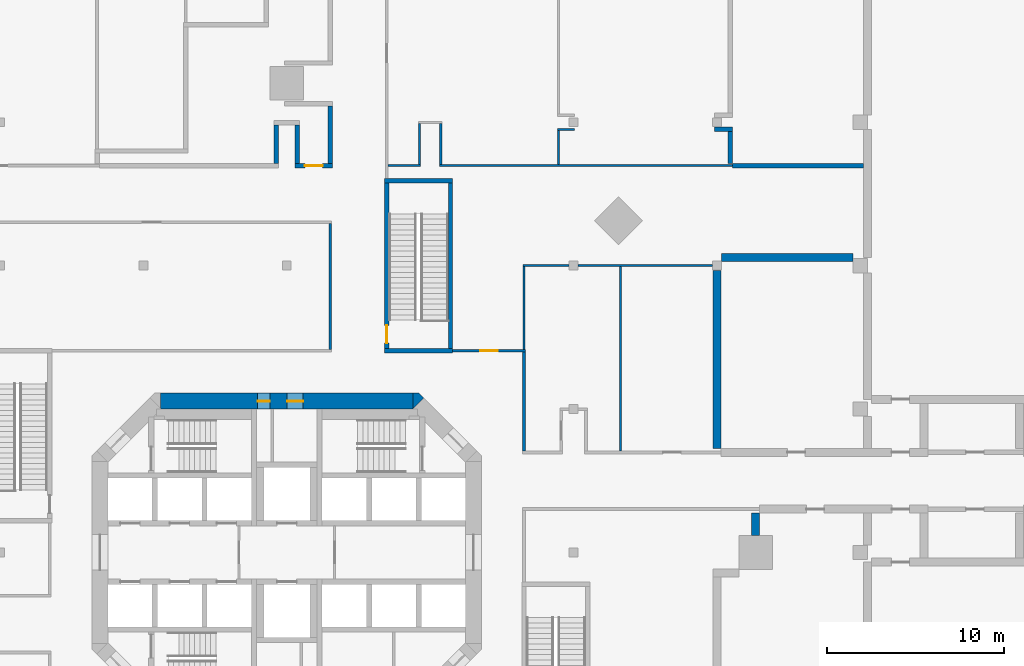
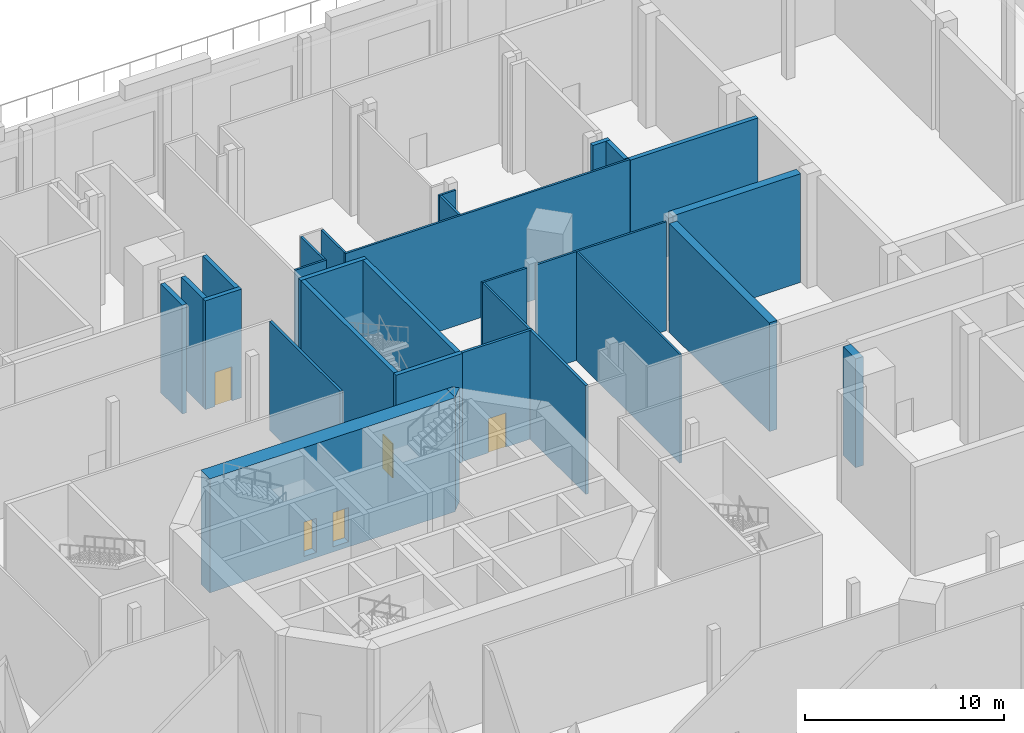
# One storey, part 11 of 21: 29 walls, 5 doors, 5 openings.
"""IFC4 building model written with IfcOpenShell, lengths in metres."""

from ifc_helpers import new_model, si_unit, direction, frame, frame_2d, origin, place, context, subcontext, project, spatial, polyline, rectangle, outline, extrude, material, layer, layer_set, type_object, element, fill, save


model = new_model("IFC4")

# Units and contexts
model_context = context("Model", 3, precision=1e-05, world=origin(), true_north=direction((0.0, 1.0)))
body_context = subcontext(model_context, "Body", "Model", "MODEL_VIEW")
ifc_project = project(units=[si_unit("LENGTHUNIT", "METRE"), si_unit("AREAUNIT", "SQUARE_METRE"), si_unit("VOLUMEUNIT", "CUBIC_METRE"), si_unit("PLANEANGLEUNIT", "RADIAN"), si_unit("MASSUNIT", "GRAM", prefix="KILO")], contexts=[model_context])

# Site, building, storey
site_placement = place(None, origin())
site = spatial("IfcSite", under=ifc_project, at=site_placement, CompositionType="ELEMENT")
building_placement = place(site_placement, origin())
building = spatial("IfcBuilding", under=site, at=building_placement, Name="Torre Triforio", CompositionType="ELEMENT")
storey_placement = place(building_placement, frame((0.0, 0.0, 6.0)))
storey = spatial("IfcBuildingStorey", under=building, at=storey_placement, Name="L01", CompositionType="ELEMENT", Elevation=6.0)

# Wall, openings, doors
ifc_material_1 = material(Name="Concrete C60", Category="concrete")
ifc_layer_1 = layer(ifc_material_1, 0.89990234375)
ifc_layer_set_1 = layer_set([ifc_layer_1], Name="Concrete C60")
wall_type_1 = type_object("IfcWallType", Name="Core wall 900 mm C60 EI 120", PredefinedType="SHEAR", material=ifc_layer_set_1)
wall_1_placement = place(storey_placement, frame((-7.1298828125, 8.550048828125, -0.320068359375), z_axis=(0.0, 0.0, 1.0), x_axis=(1.0, 0.0, 0.0)))
wall_1 = element("IfcWall", 1, at=wall_1_placement, inside=storey, type_object=wall_type_1, Name="Core wall", PredefinedType="SHEAR", context=body_context, shape_type="SweptSolid", body=[
    extrude(rectangle(XDim=14.259765625, YDim=0.89990234375, at=frame_2d((7.1298828125, 0.0))), origin(), (0.0, 0.0, 1.0), 7.0),
])
opening_1_placement = place(wall_1_placement, frame((5.47998046875, 0.0, 0.320068359375)))
opening_1 = element("IfcOpeningElement", 2, at=opening_1_placement, cuts=wall_1, Name="Opening RISER-N", PredefinedType="OPENING", context=body_context, shape_type="SweptSolid", body=[
    extrude(rectangle(XDim=0.699951171875, YDim=2.10009765625, at=frame_2d((0.35009765625, 1.050048828125))), frame((0.0, 0.4599609375, 0.0), z_axis=(0.0, -1.0, 0.0), x_axis=(1.0, 0.0, 0.0)), (0.0, 0.0, 1.0), 0.919921875),
])
opening_2_placement = place(wall_1_placement, frame((7.155029296875, 0.0, 0.320068359375)))
opening_2 = element("IfcOpeningElement", 3, at=opening_2_placement, cuts=wall_1, Name="Opening NE-01", PredefinedType="OPENING", context=body_context, shape_type="SweptSolid", body=[
    extrude(rectangle(XDim=0.89990234375, YDim=2.10009765625, at=frame_2d((0.449951171875, 1.050048828125))), frame((0.0, 0.4599609375, 0.0), z_axis=(0.0, -1.0, 0.0), x_axis=(1.0, 0.0, 0.0)), (0.0, 0.0, 1.0), 0.919921875),
])
ifc_material_2 = material(Name="Hollow metal fire door leaf")
door_type_1 = type_object("IfcDoorType", Name="Riser door 700 x 2100 EI 60", OperationType="NOTDEFINED", PredefinedType="DOOR", material=ifc_material_2)
door_1_placement = place(opening_1_placement, origin())
door_1 = element("IfcDoor", 4, at=door_1_placement, inside=storey, type_object=door_type_1, Name="Core door RISER-N", OperationType="SINGLE_SWING_LEFT", OverallHeight=2.10009765625, OverallWidth=0.699951171875, PredefinedType="DOOR", context=body_context, shape_type="SweptSolid", body=[
    extrude(rectangle(XDim=0.699951171875, YDim=2.10009765625, at=frame_2d((0.35009765625, 1.050048828125))), frame((0.0, 0.02490234375, 0.0), z_axis=(0.0, -1.0, 0.0), x_axis=(1.0, 0.0, 0.0)), (0.0, 0.0, 1.0), 0.050048828125),
])
fill(opening_1, door_1)
door_type_2 = type_object("IfcDoorType", Name="Room door 900 x 2100 EI 60", OperationType="NOTDEFINED", PredefinedType="DOOR", material=ifc_material_2)
door_2_placement = place(opening_2_placement, origin())
door_2 = element("IfcDoor", 5, at=door_2_placement, inside=storey, type_object=door_type_2, Name="Core door NE-01", OperationType="SINGLE_SWING_RIGHT", OverallHeight=2.10009765625, OverallWidth=0.89990234375, PredefinedType="DOOR", context=body_context, shape_type="SweptSolid", body=[
    extrude(rectangle(XDim=0.89990234375, YDim=2.10009765625, at=frame_2d((0.449951171875, 1.050048828125))), frame((0.0, 0.02490234375, 0.0), z_axis=(0.0, -1.0, 0.0), x_axis=(1.0, 0.0, 0.0)), (0.0, 0.0, 1.0), 0.050048828125),
])
fill(opening_2, door_2)

# Walls
wall_2_placement = place(storey_placement, frame((0.0, 0.0, -0.320068359375)))
element("IfcWall", 6, at=wall_2_placement, inside=storey, type_object=wall_type_1, Name="Core wall", PredefinedType="SHEAR", context=body_context, shape_type="SweptSolid", body=[
    extrude(outline(polyline([(7.472900390625, 9.0), (7.736328125, 8.736328125), (7.1298828125, 8.1298828125), (7.1298828125, 9.0), (7.472900390625, 9.0)])), origin(), (0.0, 0.0, 1.0), 7.0),
])
ifc_material_3 = material(Name="Plasterboard on metal studs")
ifc_layer_2 = layer(ifc_material_3, 0.14990234375)
ifc_layer_set_2 = layer_set([ifc_layer_2], Name="Plasterboard on metal studs")
wall_type_2 = type_object("IfcWallType", Name="Corridor wall 150 EI 60", PredefinedType="PARTITIONING", material=ifc_layer_set_2)
wall_3_placement = place(storey_placement, frame((13.39990234375, 5.72509765625, 0.0), z_axis=(0.0, 0.0, 1.0), x_axis=(0.0, 1.0, 0.0)))
element("IfcWall", 7, at=wall_3_placement, inside=storey, type_object=wall_type_2, Name="Corridor wall L01 125", PredefinedType="PARTITIONING", context=body_context, shape_type="SweptSolid", body=[
    extrude(rectangle(XDim=5.599853515625, YDim=0.14990234375, at=frame_2d((2.7998046875, 0.0))), origin(), (0.0, 0.0, 1.0), 6.679931640625),
])

# Wall, opening, door
wall_4_placement = place(storey_placement, frame((9.375, 11.39990234375, 0.0), z_axis=(0.0, 0.0, 1.0), x_axis=(1.0, 0.0, 0.0)))
wall_4 = element("IfcWall", 8, at=wall_4_placement, inside=storey, type_object=wall_type_2, Name="Corridor wall L01 155", PredefinedType="PARTITIONING", context=body_context, shape_type="SweptSolid", body=[
    extrude(rectangle(XDim=4.10009765625, YDim=0.14990234375, at=frame_2d((2.050048828125, 0.0))), origin(), (0.0, 0.0, 1.0), 6.679931640625),
])
opening_3_placement = place(wall_4_placement, frame((1.550048828125, 0.0, 0.0)))
opening_3 = element("IfcOpeningElement", 9, at=opening_3_placement, cuts=wall_4, Name="Opening P1-31", PredefinedType="OPENING", context=body_context, shape_type="SweptSolid", body=[
    extrude(rectangle(XDim=1.0, YDim=2.10009765625, at=frame_2d((0.5, 1.050048828125))), frame((0.0, 0.0849609375, 0.0), z_axis=(0.0, -1.0, 0.0), x_axis=(1.0, 0.0, 0.0)), (0.0, 0.0, 1.0), 0.169921875),
])
ifc_material_4 = material(Name="Timber door leaf", Category="wood")
door_type_3 = type_object("IfcDoorType", Name="Single door 1000 x 2100 EI 30", OperationType="NOTDEFINED", PredefinedType="DOOR", material=ifc_material_4)
door_3_placement = place(opening_3_placement, origin())
door_3 = element("IfcDoor", 10, at=door_3_placement, inside=storey, type_object=door_type_3, Name="Door P1-31", OperationType="SINGLE_SWING_LEFT", OverallHeight=2.10009765625, OverallWidth=1.0, PredefinedType="DOOR", context=body_context, shape_type="SweptSolid", body=[
    extrude(rectangle(XDim=1.0, YDim=2.10009765625, at=frame_2d((0.5, 1.050048828125))), frame((0.0, 0.02490234375, 0.0), z_axis=(0.0, -1.0, 0.0), x_axis=(1.0, 0.0, 0.0)), (0.0, 0.0, 1.0), 0.050048828125),
])
fill(opening_3, door_3)

# Walls
wall_5_placement = place(storey_placement, frame((2.449951171875, 11.47509765625, 0.0), z_axis=(0.0, 0.0, 1.0), x_axis=(0.0, 1.0, 0.0)))
element("IfcWall", 11, at=wall_5_placement, inside=storey, type_object=wall_type_2, Name="Corridor wall L01 162", PredefinedType="PARTITIONING", context=body_context, shape_type="SweptSolid", body=[
    extrude(rectangle(XDim=7.099853515625, YDim=0.14990234375, at=frame_2d((3.5498046875, 0.0))), origin(), (0.0, 0.0, 1.0), 6.679931640625),
])
ifc_layer_3 = layer(ifc_material_3, 0.1201171875)
ifc_layer_set_3 = layer_set([ifc_layer_3], Name="Plasterboard on metal studs")
wall_type_3 = type_object("IfcWallType", Name="Partition 120", PredefinedType="PARTITIONING", material=ifc_layer_set_3)
wall_6_placement = place(storey_placement, frame((18.85009765625, 5.72509765625, 0.0), z_axis=(0.0, 0.0, 1.0), x_axis=(0.0, 1.0, 0.0)))
element("IfcWall", 12, at=wall_6_placement, inside=storey, type_object=wall_type_3, Name="Partition L01 043", PredefinedType="PARTITIONING", context=body_context, shape_type="SweptSolid", body=[
    extrude(rectangle(XDim=10.414794921875, YDim=0.1201171875, at=frame_2d((5.20751953125, 0.0))), origin(), (0.0, 0.0, 1.0), 6.679931640625),
])
wall_7_placement = place(storey_placement, frame((15.286376953125, 23.89990234375, 0.0), z_axis=(0.0, 0.0, 1.0), x_axis=(1.0, 0.0, 0.0)))
element("IfcWall", 13, at=wall_7_placement, inside=storey, type_object=wall_type_3, Name="Partition L01 086", PredefinedType="PARTITIONING", context=body_context, shape_type="SweptSolid", body=[
    extrude(rectangle(XDim=0.95361328125, YDim=0.1201171875, at=frame_2d((0.476806640625, 0.0))), origin(), (0.0, 0.0, 1.0), 6.679931640625),
])
wall_8_placement = place(storey_placement, frame((15.346435546875, 21.909912109375, 0.0), z_axis=(0.0, 0.0, 1.0), x_axis=(0.0, 1.0, 0.0)))
element("IfcWall", 14, at=wall_8_placement, inside=storey, type_object=wall_type_3, Name="Partition L01 090", PredefinedType="PARTITIONING", context=body_context, shape_type="SweptSolid", body=[
    extrude(rectangle(XDim=1.93017578125, YDim=0.1201171875, at=frame_2d((0.965087890625, 0.0))), origin(), (0.0, 0.0, 1.0), 6.679931640625),
])
wall_9_placement = place(storey_placement, frame((5.72509765625, 21.85009765625, 0.0), z_axis=(0.0, 0.0, 1.0), x_axis=(1.0, 0.0, 0.0)))
element("IfcWall", 15, at=wall_9_placement, inside=storey, type_object=wall_type_3, Name="Partition L01 099", PredefinedType="PARTITIONING", context=body_context, shape_type="SweptSolid", body=[
    extrude(rectangle(XDim=1.8349609375, YDim=0.1201171875, at=frame_2d((0.91748046875, 0.0))), origin(), (0.0, 0.0, 1.0), 6.679931640625),
])
wall_10_placement = place(storey_placement, frame((8.639892578125, 21.85009765625, 0.0), z_axis=(0.0, 0.0, 1.0), x_axis=(1.0, 0.0, 0.0)))
element("IfcWall", 16, at=wall_10_placement, inside=storey, type_object=wall_type_3, Name="Partition L01 100", PredefinedType="PARTITIONING", context=body_context, shape_type="SweptSolid", body=[
    extrude(rectangle(XDim=16.528076171875, YDim=0.1201171875, at=frame_2d((8.26416015625, 0.0))), origin(), (0.0, 0.0, 1.0), 6.679931640625),
])
for number, where, z_axis, x_axis, name in (
    (17, (7.5, 21.909912109375, 0.0), (0.0, 0.0, 1.0), (0.0, 1.0, 0.0), "Partition L01 102"),
    (18, (8.699951171875, 21.909912109375, 0.0), (0.0, 0.0, 1.0), (0.0, 1.0, 0.0), "Partition L01 103"),
):
    element("IfcWall", number, at=place(storey_placement, frame(where, z_axis=z_axis, x_axis=x_axis)), inside=storey, type_object=wall_type_3, Name=name, PredefinedType="PARTITIONING", context=body_context, shape_type="SweptSolid", body=[
        extrude(rectangle(XDim=2.31005859375, YDim=0.1201171875, at=frame_2d((1.155029296875, 0.0))), origin(), (0.0, 0.0, 1.0), 6.679931640625),
    ])
wall_11_placement = place(storey_placement, frame((13.340087890625, 16.199951171875, 0.0), z_axis=(0.0, 0.0, 1.0), x_axis=(1.0, 0.0, 0.0)))
element("IfcWall", 19, at=wall_11_placement, inside=storey, type_object=wall_type_3, Name="Partition L01 122", PredefinedType="PARTITIONING", context=body_context, shape_type="SweptSolid", body=[
    extrude(rectangle(XDim=2.599853515625, YDim=0.1201171875, at=frame_2d((1.2998046875, 0.0))), origin(), (0.0, 0.0, 1.0), 6.679931640625),
])
wall_12_placement = place(storey_placement, frame((16.4599609375, 16.199951171875, 0.0), z_axis=(0.0, 0.0, 1.0), x_axis=(1.0, 0.0, 0.0)))
element("IfcWall", 20, at=wall_12_placement, inside=storey, type_object=wall_type_3, Name="Partition L01 123", PredefinedType="PARTITIONING", context=body_context, shape_type="SweptSolid", body=[
    extrude(rectangle(XDim=7.580078125, YDim=0.1201171875, at=frame_2d((3.7900390625, 0.0))), origin(), (0.0, 0.0, 1.0), 6.679931640625),
])
wall_13_placement = place(storey_placement, frame((13.39990234375, 11.47509765625, 0.0), z_axis=(0.0, 0.0, 1.0), x_axis=(0.0, 1.0, 0.0)))
element("IfcWall", 21, at=wall_13_placement, inside=storey, type_object=wall_type_3, Name="Partition L01 124", PredefinedType="PARTITIONING", context=body_context, shape_type="SweptSolid", body=[
    extrude(rectangle(XDim=4.664794921875, YDim=0.1201171875, at=frame_2d((2.33251953125, 0.0))), origin(), (0.0, 0.0, 1.0), 6.679931640625),
])
ifc_material_5 = material(Name="Masonry block", Category="masonry")
ifc_layer_4 = layer(ifc_material_5, 0.25)
ifc_layer_set_4 = layer_set([ifc_layer_4], Name="Masonry block")
wall_type_4 = type_object("IfcWallType", Name="Plant room wall 250 EI 120", PredefinedType="PARTITIONING", material=ifc_layer_set_4)
wall_14_placement = place(storey_placement, frame((24.175048828125, 23.89990234375, 0.0), z_axis=(0.0, 0.0, 1.0), x_axis=(1.0, 0.0, 0.0)))
element("IfcWall", 22, at=wall_14_placement, inside=storey, type_object=wall_type_4, Name="Plant room wall L01 104", PredefinedType="PARTITIONING", context=body_context, shape_type="SweptSolid", body=[
    extrude(rectangle(XDim=0.992919921875, YDim=0.25, at=frame_2d((0.49658203125, 0.0))), origin(), (0.0, 0.0, 1.0), 6.679931640625),
])
wall_15_placement = place(storey_placement, frame((25.04296875, 21.97509765625, 0.0), z_axis=(0.0, 0.0, 1.0), x_axis=(0.0, 1.0, 0.0)))
element("IfcWall", 23, at=wall_15_placement, inside=storey, type_object=wall_type_4, Name="Plant room wall L01 108", PredefinedType="PARTITIONING", context=body_context, shape_type="SweptSolid", body=[
    extrude(rectangle(XDim=1.7998046875, YDim=0.25, at=frame_2d((0.89990234375, 0.0))), origin(), (0.0, 0.0, 1.0), 6.679931640625),
])

# Wall, opening, door
wall_16_placement = place(storey_placement, frame((0.47509765625, 21.85009765625, 0.0), z_axis=(0.0, 0.0, 1.0), x_axis=(1.0, 0.0, 0.0)))
wall_16 = element("IfcWall", 24, at=wall_16_placement, inside=storey, type_object=wall_type_4, Name="Plant room wall L01 127", PredefinedType="PARTITIONING", context=body_context, shape_type="SweptSolid", body=[
    extrude(rectangle(XDim=2.099853515625, YDim=0.25, at=frame_2d((1.0498046875, 0.0))), origin(), (0.0, 0.0, 1.0), 6.679931640625),
])
opening_4_placement = place(wall_16_placement, frame((0.550048828125, 0.0, 0.0)))
opening_4 = element("IfcOpeningElement", 25, at=opening_4_placement, cuts=wall_16, Name="Opening P1-47", PredefinedType="OPENING", context=body_context, shape_type="SweptSolid", body=[
    extrude(rectangle(XDim=1.0, YDim=2.10009765625, at=frame_2d((0.5, 1.050048828125))), frame((0.0, 0.135009765625, 0.0), z_axis=(0.0, -1.0, 0.0), x_axis=(1.0, 0.0, 0.0)), (0.0, 0.0, 1.0), 0.27001953125),
])
door_type_4 = type_object("IfcDoorType", Name="Fire door 1000 x 2100 EI 60", OperationType="NOTDEFINED", PredefinedType="DOOR", material=ifc_material_2)
door_4_placement = place(opening_4_placement, origin())
door_4 = element("IfcDoor", 26, at=door_4_placement, inside=storey, type_object=door_type_4, Name="Door P1-47", OperationType="SINGLE_SWING_LEFT", OverallHeight=2.10009765625, OverallWidth=1.0, PredefinedType="DOOR", context=body_context, shape_type="SweptSolid", body=[
    extrude(rectangle(XDim=1.0, YDim=2.10009765625, at=frame_2d((0.5, 1.050048828125))), frame((0.0, 0.02490234375, 0.0), z_axis=(0.0, -1.0, 0.0), x_axis=(1.0, 0.0, 0.0)), (0.0, 0.0, 1.0), 0.050048828125),
])
fill(opening_4, door_4)

# Walls
for number, where, z_axis, x_axis, name in (
    (27, (-0.60009765625, 21.97509765625, 0.0), (0.0, 0.0, 1.0), (0.0, 1.0, 0.0), "Plant room wall L01 129"),
    (28, (0.60009765625, 21.97509765625, 0.0), (0.0, 0.0, 1.0), (0.0, 1.0, 0.0), "Plant room wall L01 130"),
):
    element("IfcWall", number, at=place(storey_placement, frame(where, z_axis=z_axis, x_axis=x_axis)), inside=storey, type_object=wall_type_4, Name=name, PredefinedType="PARTITIONING", context=body_context, shape_type="SweptSolid", body=[
        extrude(rectangle(XDim=2.179931640625, YDim=0.25, at=frame_2d((1.08984375, 0.0))), origin(), (0.0, 0.0, 1.0), 6.679931640625),
    ])
wall_17_placement = place(storey_placement, frame((25.16796875, 21.85009765625, 0.0), z_axis=(0.0, 0.0, 1.0), x_axis=(1.0, 0.0, 0.0)))
element("IfcWall", 29, at=wall_17_placement, inside=storey, type_object=wall_type_4, Name="Plant room wall L01 152", PredefinedType="PARTITIONING", context=body_context, shape_type="SweptSolid", body=[
    extrude(rectangle(XDim=7.406982421875, YDim=0.25, at=frame_2d((3.70361328125, 0.0))), origin(), (0.0, 0.0, 1.0), 6.679931640625),
])
wall_18_placement = place(storey_placement, frame((2.449951171875, 21.97509765625, 0.0), z_axis=(0.0, 0.0, 1.0), x_axis=(0.0, 1.0, 0.0)))
element("IfcWall", 30, at=wall_18_placement, inside=storey, type_object=wall_type_4, Name="Plant room wall L01 160", PredefinedType="PARTITIONING", context=body_context, shape_type="SweptSolid", body=[
    extrude(rectangle(XDim=3.25, YDim=0.25, at=frame_2d((1.625, 0.0))), origin(), (0.0, 0.0, 1.0), 6.679931640625),
])
ifc_material_6 = material(Name="Concrete C40", Category="concrete")
ifc_layer_5 = layer(ifc_material_6, 0.25)
ifc_layer_set_5 = layer_set([ifc_layer_5], Name="Concrete C40")
wall_type_5 = type_object("IfcWallType", Name="Stair enclosure wall 250 EI 120", PredefinedType="STANDARD", material=ifc_layer_set_5)
wall_19_placement = place(storey_placement, frame((5.52490234375, 21.0, 0.0), z_axis=(0.0, 0.0, 1.0), x_axis=(1.0, 0.0, 0.0)))
element("IfcWall", 31, at=wall_19_placement, inside=storey, type_object=wall_type_5, Name="Stair enclosure wall L01 153", PredefinedType="STANDARD", context=body_context, shape_type="SweptSolid", body=[
    extrude(rectangle(XDim=3.85009765625, YDim=0.25, at=frame_2d((1.925048828125, 0.0))), origin(), (0.0, 0.0, 1.0), 6.679931640625),
])
wall_20_placement = place(storey_placement, frame((9.25, 11.52490234375, 0.0), z_axis=(0.0, 0.0, 1.0), x_axis=(0.0, 1.0, 0.0)))
element("IfcWall", 32, at=wall_20_placement, inside=storey, type_object=wall_type_5, Name="Stair enclosure wall L01 154", PredefinedType="STANDARD", context=body_context, shape_type="SweptSolid", body=[
    extrude(rectangle(XDim=9.35009765625, YDim=0.25, at=frame_2d((4.675048828125, 0.0))), origin(), (0.0, 0.0, 1.0), 6.679931640625),
])

# Wall, opening, door
wall_21_placement = place(storey_placement, frame((5.64990234375, 11.52490234375, 0.0), z_axis=(0.0, 0.0, 1.0), x_axis=(0.0, 1.0, 0.0)))
wall_21 = element("IfcWall", 33, at=wall_21_placement, inside=storey, type_object=wall_type_5, Name="Stair enclosure wall L01 157", PredefinedType="STANDARD", context=body_context, shape_type="SweptSolid", body=[
    extrude(rectangle(XDim=9.35009765625, YDim=0.25, at=frame_2d((4.675048828125, 0.0))), origin(), (0.0, 0.0, 1.0), 6.679931640625),
])
opening_5_placement = place(wall_21_placement, frame((0.300048828125, 0.0, 0.0)))
opening_5 = element("IfcOpeningElement", 34, at=opening_5_placement, cuts=wall_21, Name="Opening P1-04", PredefinedType="OPENING", context=body_context, shape_type="SweptSolid", body=[
    extrude(rectangle(XDim=1.0, YDim=2.10009765625, at=frame_2d((0.5, 1.050048828125))), frame((0.0, 0.135009765625, 0.0), z_axis=(0.0, -1.0, 0.0), x_axis=(1.0, 0.0, 0.0)), (0.0, 0.0, 1.0), 0.27001953125),
])
door_type_5 = type_object("IfcDoorType", Name="Stair door 1000 x 2100 EI 90", OperationType="NOTDEFINED", PredefinedType="DOOR", material=ifc_material_2)
door_5_placement = place(opening_5_placement, origin())
door_5 = element("IfcDoor", 35, at=door_5_placement, inside=storey, type_object=door_type_5, Name="Door P1-04", OperationType="SINGLE_SWING_LEFT", OverallHeight=2.10009765625, OverallWidth=1.0, PredefinedType="DOOR", context=body_context, shape_type="SweptSolid", body=[
    extrude(rectangle(XDim=1.0, YDim=2.10009765625, at=frame_2d((0.5, 1.050048828125))), frame((0.0, 0.02490234375, 0.0), z_axis=(0.0, -1.0, 0.0), x_axis=(1.0, 0.0, 0.0)), (0.0, 0.0, 1.0), 0.050048828125),
])
fill(opening_5, door_5)

# Walls
wall_22_placement = place(storey_placement, frame((5.52490234375, 11.39990234375, 0.0), z_axis=(0.0, 0.0, 1.0), x_axis=(1.0, 0.0, 0.0)))
element("IfcWall", 36, at=wall_22_placement, inside=storey, type_object=wall_type_5, Name="Stair enclosure wall L01 201", PredefinedType="STANDARD", context=body_context, shape_type="SweptSolid", body=[
    extrude(rectangle(XDim=3.85009765625, YDim=0.25, at=frame_2d((1.925048828125, 0.0))), origin(), (0.0, 0.0, 1.0), 6.679931640625),
])
ifc_material_7 = material(Name="Double leaf masonry acoustic wall", Category="masonry")
ifc_layer_6 = layer(ifc_material_7, 0.449951171875)
ifc_layer_set_6 = layer_set([ifc_layer_6], Name="Double leaf masonry acoustic wall")
wall_type_6 = type_object("IfcWallType", Name="Studio sound wall 450 EI 60", PredefinedType="PARTITIONING", material=ifc_layer_set_6)
wall_23_placement = place(storey_placement, frame((24.300048828125, 5.875, 0.0), z_axis=(0.0, 0.0, 1.0), x_axis=(0.0, 1.0, 0.0)))
element("IfcWall", 37, at=wall_23_placement, inside=storey, type_object=wall_type_6, Name="Studio sound wall L01 031", PredefinedType="PARTITIONING", context=body_context, shape_type="SweptSolid", body=[
    extrude(rectangle(XDim=10.06494140625, YDim=0.449951171875, at=frame_2d((5.032470703125, 0.0))), origin(), (0.0, 0.0, 1.0), 6.679931640625),
])
wall_24_placement = place(storey_placement, frame((24.56005859375, 16.64990234375, 0.0), z_axis=(0.0, 0.0, 1.0), x_axis=(1.0, 0.0, 0.0)))
element("IfcWall", 38, at=wall_24_placement, inside=storey, type_object=wall_type_6, Name="Studio sound wall L01 034", PredefinedType="PARTITIONING", context=body_context, shape_type="SweptSolid", body=[
    extrude(rectangle(XDim=7.429931640625, YDim=0.449951171875, at=frame_2d((3.71484375, 0.0))), origin(), (0.0, 0.0, 1.0), 6.679931640625),
])
wall_25_placement = place(storey_placement, frame((26.47998046875, 0.9599609375, 0.0), z_axis=(0.0, 0.0, 1.0), x_axis=(0.0, 1.0, 0.0)))
element("IfcWall", 39, at=wall_25_placement, inside=storey, type_object=wall_type_6, Name="Studio sound wall L01 041", PredefinedType="PARTITIONING", context=body_context, shape_type="SweptSolid", body=[
    extrude(rectangle(XDim=1.26513671875, YDim=0.449951171875, at=frame_2d((0.632568359375, 0.0))), origin(), (0.0, 0.0, 1.0), 6.679931640625),
])

save(model, "model.ifc")
